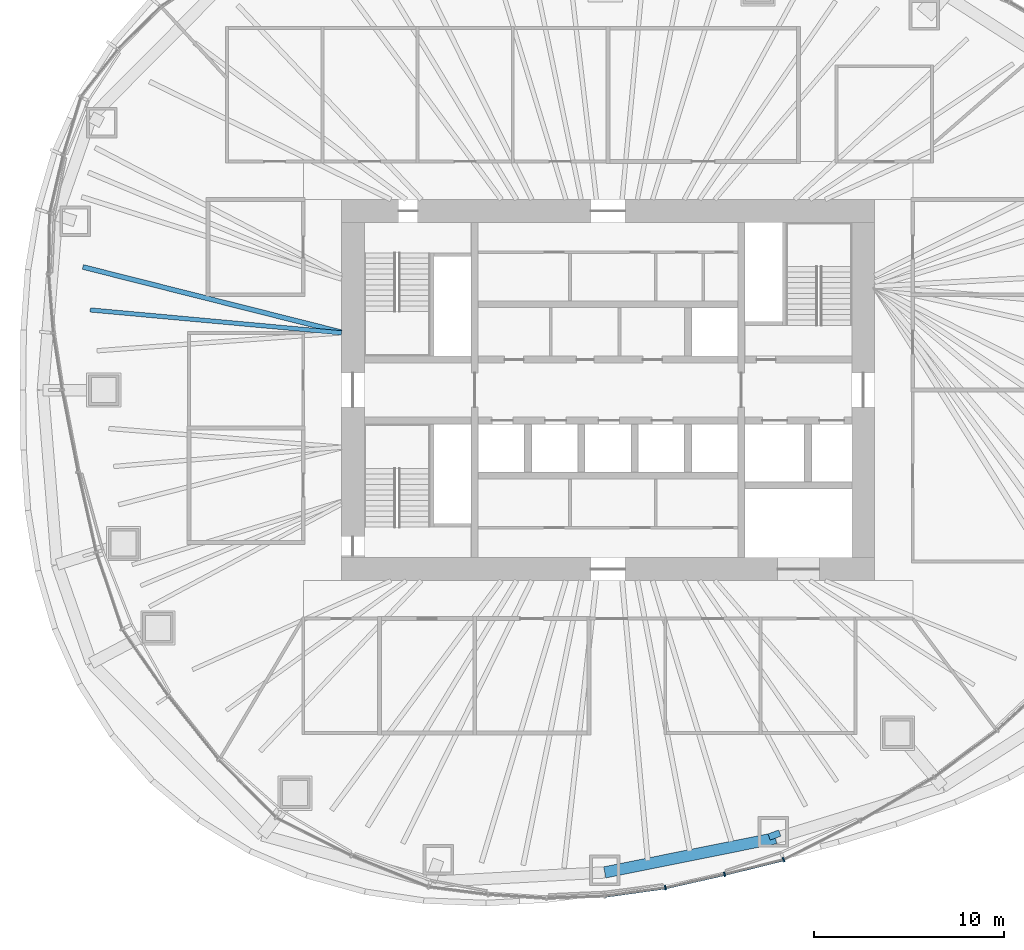
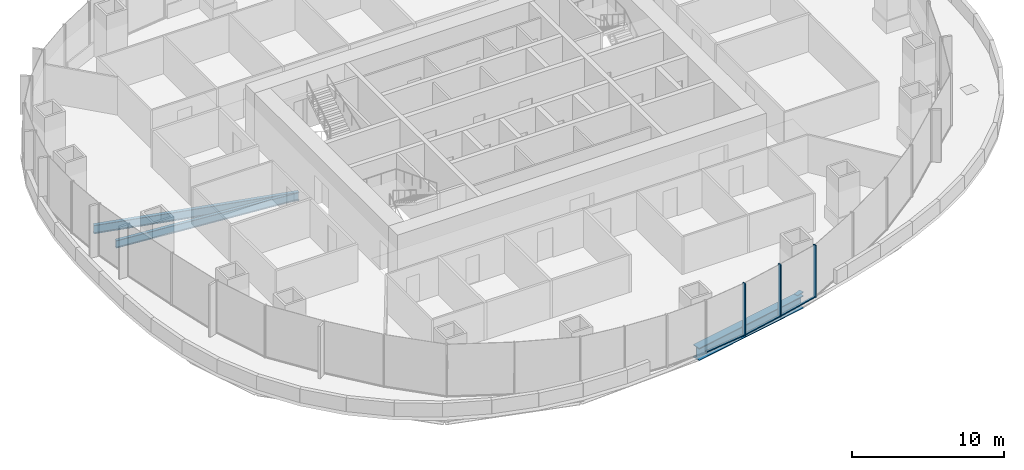
# One storey, part 3 of 20: 6 members, 4 beams, 2 elements without a shape of their own.
"""IFC4 building model written with IfcOpenShell, lengths in metres."""

from ifc_helpers import new_model, si_unit, direction, frame, origin, origin_2d, place, context, subcontext, project, spatial, rectangle, i_section, extrude, material, material_profile, profile_set, type_object, element, aggregate, save


model = new_model("IFC4")

# Units and contexts
model_context = context("Model", 3, precision=1e-05, world=origin(), true_north=direction((0.0, 1.0)))
body_context = subcontext(model_context, "Body", "Model", "MODEL_VIEW")
ifc_project = project(units=[si_unit("LENGTHUNIT", "METRE"), si_unit("AREAUNIT", "SQUARE_METRE"), si_unit("VOLUMEUNIT", "CUBIC_METRE"), si_unit("PLANEANGLEUNIT", "RADIAN"), si_unit("MASSUNIT", "GRAM", prefix="KILO")], contexts=[model_context])

# Site, building, storey
site_placement = place(None, origin())
site = spatial("IfcSite", under=ifc_project, at=site_placement, CompositionType="ELEMENT")
building_placement = place(site_placement, origin())
building = spatial("IfcBuilding", under=site, at=building_placement, Name="Ghaith Harvest Tower", CompositionType="ELEMENT")
storey_placement = place(building_placement, frame((0.0, 0.0, 105.0)))
storey = spatial("IfcBuildingStorey", under=building, at=storey_placement, Name="L21", CompositionType="ELEMENT", Elevation=105.0)

# Curtain wall, members
ifc_material_1 = material(Name="Black anodised aluminium and fritted glass", Category="aluminium")
curtain_wall_type = type_object("IfcCurtainWallType", Name="CW-L CURTAIN WALL", PredefinedType="NOTDEFINED", material=ifc_material_1)
curtain_wall_1_placement = place(storey_placement, origin())
curtain_wall_1 = element("IfcCurtainWall", 1, at=curtain_wall_1_placement, inside=storey, type_object=curtain_wall_type, Name="Curtain wall CW-L bay 16 L21", PredefinedType="NOTDEFINED")
ifc_material_2 = material(Name="Aluminium, black anodised", Category="aluminium")
ifc_material_profile_1 = material_profile(ifc_material_2, rectangle(XDim=0.080078125, YDim=0.239990234375, at=origin_2d()), Name="CW-L MULLION 80x240")
ifc_profile_set_1 = profile_set([ifc_material_profile_1], Name="Aluminium, black anodised")
member_type_1 = type_object("IfcMemberType", Name="CW-L MULLION 80x240", PredefinedType="MULLION", material=ifc_profile_set_1)
member_1_placement = place(storey_placement, frame((3.010009765625, -26.12939453125, 0.0), z_axis=(0.0, 0.0, 1.0), x_axis=(0.983806317978, 0.179234842337, 0.0)))
member_1 = element("IfcMember", 2, at=member_1_placement, type_object=member_type_1, Name="CW-L mullion 2 bay 16 L21", PredefinedType="MULLION", context=body_context, shape_type="SweptSolid", body=[
    extrude(rectangle(XDim=0.080078125, YDim=0.239990234375, at=origin_2d()), origin(), (0.0, 0.0, 1.0), 4.199951171875),
])
member_2_placement = place(storey_placement, frame((6.1201171875, -25.425537109375, 0.0), z_axis=(0.0, 0.0, 1.0), x_axis=(0.972918144681, 0.231149916179, 0.0)))
member_2 = element("IfcMember", 3, at=member_2_placement, type_object=member_type_1, Name="CW-L mullion 3 bay 16 L21", PredefinedType="MULLION", context=body_context, shape_type="SweptSolid", body=[
    extrude(rectangle(XDim=0.080078125, YDim=0.239990234375, at=origin_2d()), origin(), (0.0, 0.0, 1.0), 4.199951171875),
])

# Curtain wall, member
curtain_wall_2_placement = place(storey_placement, origin())
curtain_wall_2 = element("IfcCurtainWall", 4, at=curtain_wall_2_placement, inside=storey, type_object=curtain_wall_type, Name="Curtain wall CW-L bay 17 L21", PredefinedType="NOTDEFINED")
member_3_placement = place(storey_placement, frame((9.216796875, -24.654541015625, 0.0), z_axis=(0.0, 0.0, 1.0), x_axis=(0.929831847154, 0.367984695358, 0.0)))
member_3 = element("IfcMember", 5, at=member_3_placement, type_object=member_type_1, Name="CW-L mullion 1 bay 17 L21", PredefinedType="MULLION", context=body_context, shape_type="SweptSolid", body=[
    extrude(rectangle(XDim=0.080078125, YDim=0.239990234375, at=origin_2d()), origin(), (0.0, 0.0, 1.0), 4.199951171875),
])
aggregate(curtain_wall_2, [member_3])

# Member
ifc_material_3 = material(Name="Aluminium, black anodised", Category="aluminium")
ifc_material_profile_2 = material_profile(ifc_material_3, rectangle(XDim=0.14990234375, YDim=0.080078125, at=origin_2d()), Name="CW-L TRANSOM 150x80")
ifc_profile_set_2 = profile_set([ifc_material_profile_2], Name="Aluminium, black anodised")
member_type_2 = type_object("IfcMemberType", Name="CW-L TRANSOM 150x80", PredefinedType="USERDEFINED", material=ifc_profile_set_2)
member_4_placement = place(storey_placement, frame((-0.142333984375, -26.568115234375, 0.0400390625), z_axis=(0.990446640965, 0.137896524254, 0.0), x_axis=(-0.137896524254, 0.990446640965, 0.0)))
member_4 = element("IfcMember", 6, at=member_4_placement, type_object=member_type_2, Name="CW-L transom 1 bay 16 L21", ObjectType="TRANSOM", PredefinedType="USERDEFINED", context=body_context, shape_type="SweptSolid", body=[
    extrude(rectangle(XDim=0.14990234375, YDim=0.080078125, at=origin_2d()), origin(), (0.0, 0.0, 1.0), 3.142578125),
])

member_5_placement = place(storey_placement, frame((3.048828125, -26.120361328125, 0.0400390625), z_axis=(0.975352213651, 0.22065370907, 0.0), x_axis=(-0.22065370907, 0.975352213651, 0.0)))
member_5 = element("IfcMember", 7, at=member_5_placement, type_object=member_type_2, Name="CW-L transom 2 bay 16 L21", ObjectType="TRANSOM", PredefinedType="USERDEFINED", context=body_context, shape_type="SweptSolid", body=[
    extrude(rectangle(XDim=0.14990234375, YDim=0.080078125, at=origin_2d()), origin(), (0.0, 0.0, 1.0), 3.109130859375),
])

member_6_placement = place(storey_placement, frame((6.158935546875, -25.415771484375, 0.0400390625), z_axis=(0.97039125345, 0.241538434265, 0.0), x_axis=(-0.241538434265, 0.97039125345, 0.0)))
member_6 = element("IfcMember", 8, at=member_6_placement, type_object=member_type_2, Name="CW-L transom 3 bay 16 L21", ObjectType="TRANSOM", PredefinedType="USERDEFINED", context=body_context, shape_type="SweptSolid", body=[
    extrude(rectangle(XDim=0.14990234375, YDim=0.080078125, at=origin_2d()), origin(), (0.0, 0.0, 1.0), 3.111083984375),
])

aggregate(curtain_wall_1, [member_4, member_1, member_5, member_2, member_6])

# Beams
ifc_material_4 = material(Name="Steel S460", Category="steel")
ifc_material_profile_3 = material_profile(ifc_material_4, i_section(OverallWidth=0.60009765625, OverallDepth=1.0, WebThickness=0.02490234375, FlangeThickness=0.050048828125, at=origin_2d()), Name="PG1000X600X25X50")
ifc_profile_set_3 = profile_set([ifc_material_profile_3], Name="Steel S460")
beam_type_1 = type_object("IfcBeamType", Name="EPG1000 PG1000X600X25X50", PredefinedType="SPANDREL", material=ifc_profile_set_3)
beam_1_placement = place(storey_placement, frame((-0.17333984375, -25.3271484375, -0.77490234375), z_axis=(0.98044185035, 0.196808988825, 0.0), x_axis=(-0.196808988825, 0.98044185035, 0.0)))
element("IfcBeam", 9, at=beam_1_placement, inside=storey, type_object=beam_type_1, Name="Setback edge beam E16 L21", PredefinedType="SPANDREL", context=body_context, shape_type="SweptSolid", body=[
    extrude(i_section(OverallWidth=0.60009765625, OverallDepth=1.0, WebThickness=0.02490234375, FlangeThickness=0.050048828125, at=origin_2d()), origin(), (0.0, 0.0, 1.0), 9.1474609375),
])
ifc_material_5 = material(Name="Steel S460", Category="steel")
ifc_material_profile_4 = material_profile(ifc_material_5, i_section(OverallWidth=0.60009765625, OverallDepth=1.0, WebThickness=0.02490234375, FlangeThickness=0.050048828125, at=origin_2d()), Name="PG1000X600X25X50")
ifc_profile_set_4 = profile_set([ifc_material_profile_4], Name="Steel S460")
beam_type_2 = type_object("IfcBeamType", Name="GPG1000 PG1000X600X25X50", PredefinedType="BEAM", material=ifc_profile_set_4)
beam_2_placement = place(storey_placement, frame((8.674072265625, -23.202880859375, -0.77490234375), z_axis=(0.3501175986, -0.936705752705, 0.0), x_axis=(0.936705752705, 0.3501175986, 0.0)))
element("IfcBeam", 10, at=beam_2_placement, inside=storey, type_object=beam_type_2, Name="Setback cantilever G17 L21", PredefinedType="BEAM", context=body_context, shape_type="SweptSolid", body=[
    extrude(i_section(OverallWidth=0.60009765625, OverallDepth=1.0, WebThickness=0.02490234375, FlangeThickness=0.050048828125, at=origin_2d()), origin(), (0.0, 0.0, 1.0), 0.345947265625),
])
ifc_material_6 = material(Name="Steel ASTM A992 Grade 50", Category="steel")
ifc_material_profile_5 = material_profile(ifc_material_6, i_section(OverallWidth=0.22900390625, OverallDepth=0.612060546875, WebThickness=0.011962890625, FlangeThickness=0.01953125, at=origin_2d()), Name="W610X125")
ifc_profile_set_5 = profile_set([ifc_material_profile_5], Name="Steel ASTM A992 Grade 50")
beam_type_3 = type_object("IfcBeamType", Name="J610-125 W610X125", PredefinedType="JOIST", material=ifc_profile_set_5)
beam_3_placement = place(storey_placement, frame((-14.0, 3.0, -0.47607421875), z_axis=(-0.995849123151, 0.091019360137, 0.0), x_axis=(-0.091019360137, -0.995849123151, 0.0)))
element("IfcBeam", 11, at=beam_3_placement, inside=storey, type_object=beam_type_3, Name="Joist J10.2 L21", PredefinedType="JOIST", context=body_context, shape_type="SweptSolid", body=[
    extrude(i_section(OverallWidth=0.22900390625, OverallDepth=0.612060546875, WebThickness=0.011962890625, FlangeThickness=0.01953125, at=origin_2d()), origin(), (0.0, 0.0, 1.0), 13.2451171875),
])
ifc_material_7 = material(Name="Steel ASTM A992 Grade 50", Category="steel")
ifc_material_profile_6 = material_profile(ifc_material_7, i_section(OverallWidth=0.25390625, OverallDepth=0.68408203125, WebThickness=0.012451171875, FlangeThickness=0.018798828125, at=origin_2d()), Name="W690X140")
ifc_profile_set_6 = profile_set([ifc_material_profile_6], Name="Steel ASTM A992 Grade 50")
beam_type_4 = type_object("IfcBeamType", Name="J690-140 W690X140", PredefinedType="JOIST", material=ifc_profile_set_6)
beam_4_placement = place(storey_placement, frame((-14.0, 3.036865234375, -0.511962890625), z_axis=(-0.969617049409, 0.244627834671, 0.0), x_axis=(-0.244627834671, -0.969617049409, 0.0)))
element("IfcBeam", 12, at=beam_4_placement, inside=storey, type_object=beam_type_4, Name="Joist J10.1 L21", PredefinedType="JOIST", context=body_context, shape_type="SweptSolid", body=[
    extrude(i_section(OverallWidth=0.25390625, OverallDepth=0.68408203125, WebThickness=0.012451171875, FlangeThickness=0.018798828125, at=origin_2d()), origin(), (0.0, 0.0, 1.0), 13.9990234375),
])

save(model, "model.ifc")
